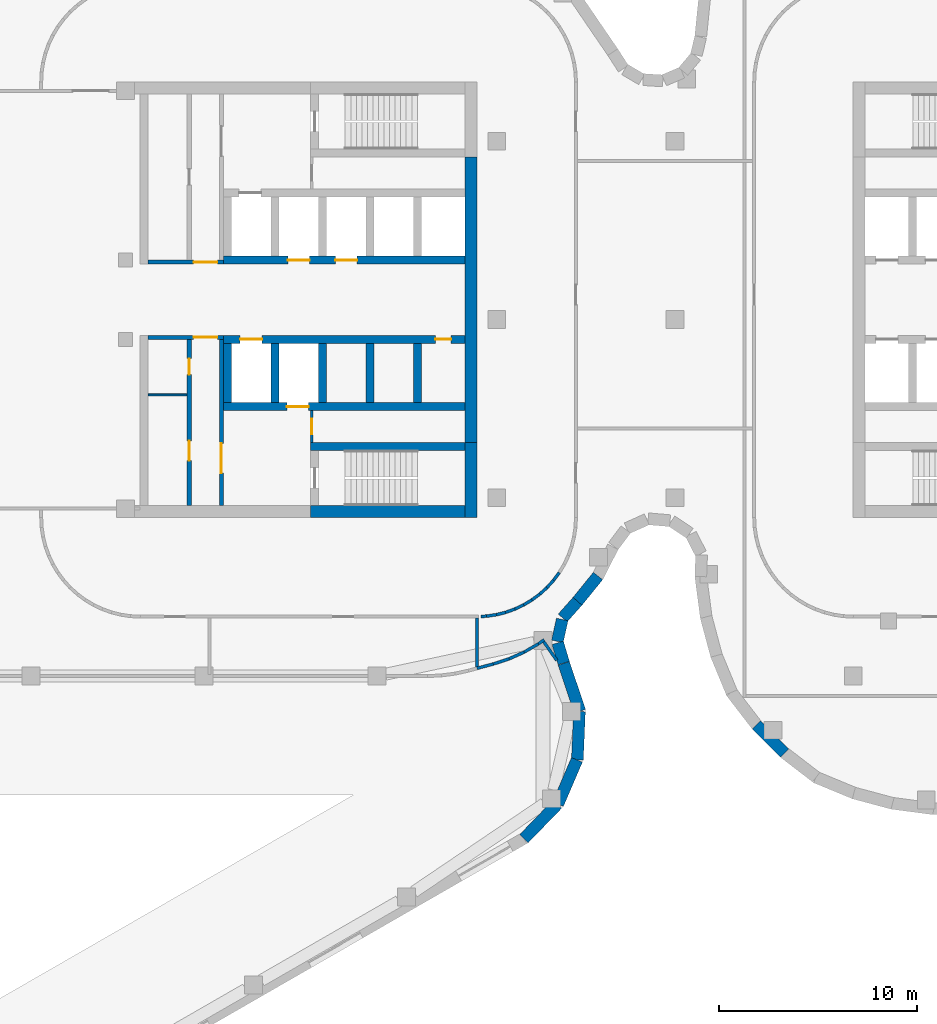
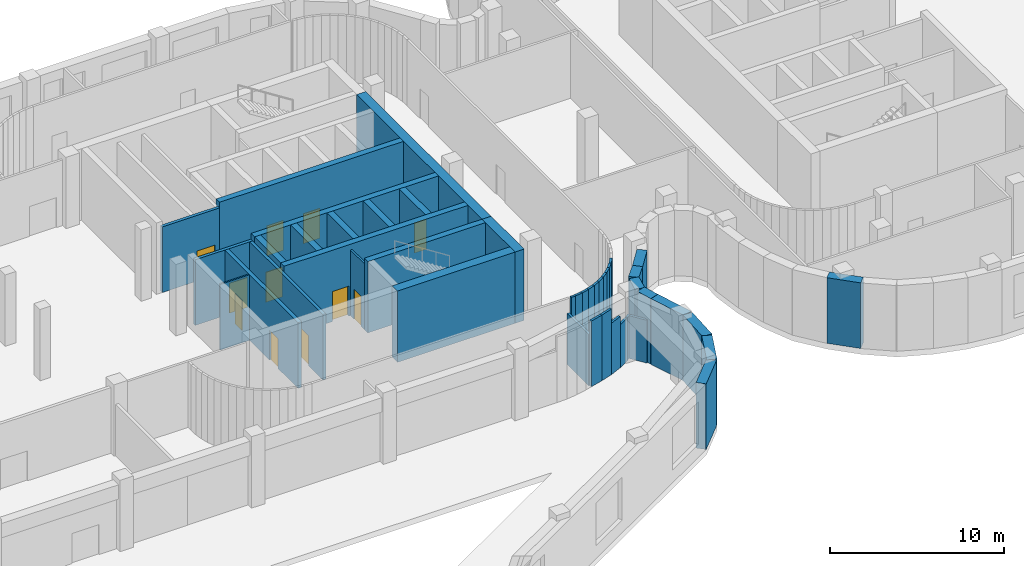
# One storey, part 9 of 20: 44 walls, 11 doors, 11 openings.
"""IFC4 building model written with IfcOpenShell, lengths in metres."""

from ifc_helpers import new_model, si_unit, direction, frame, frame_2d, origin, place, context, subcontext, project, spatial, rectangle, extrude, material, layer, layer_set, type_object, element, fill, save


model = new_model("IFC4")

# Units and contexts
model_context = context("Model", 3, precision=1e-05, world=origin(), true_north=direction((0.0, 1.0)))
body_context = subcontext(model_context, "Body", "Model", "MODEL_VIEW")
ifc_project = project(units=[si_unit("LENGTHUNIT", "METRE"), si_unit("AREAUNIT", "SQUARE_METRE"), si_unit("VOLUMEUNIT", "CUBIC_METRE"), si_unit("PLANEANGLEUNIT", "RADIAN"), si_unit("MASSUNIT", "GRAM", prefix="KILO")], contexts=[model_context])

# Site, building, storey
site_placement = place(None, origin())
site = spatial("IfcSite", under=ifc_project, at=site_placement, CompositionType="ELEMENT")
building_placement = place(site_placement, origin())
building = spatial("IfcBuilding", under=site, at=building_placement, Name="Skarvind Civic Tower", CompositionType="ELEMENT")
storey_placement = place(building_placement, frame((0.0, 0.0, 17.5)))
storey = spatial("IfcBuildingStorey", under=building, at=storey_placement, Name="L03", CompositionType="ELEMENT", Elevation=17.5)

# Wall, opening, door
ifc_material_1 = material(Name="Fire-rated masonry partition", Category="masonry")
ifc_layer_1 = layer(ifc_material_1, 0.199951171875)
ifc_layer_set_1 = layer_set([ifc_layer_1], Name="Core enclosure wall 200")
wall_type_1 = type_object("IfcWallType", Name="Core enclosure wall 200", PredefinedType="PARTITIONING", material=ifc_layer_set_1)
wall_1_placement = place(storey_placement, frame((95.199951171875, 126.10009765625, 0.0), z_axis=(0.0, 0.0, 1.0), x_axis=(-1.0, 0.0, 0.0)))
wall_1 = element("IfcWall", 1, at=wall_1_placement, inside=storey, type_object=wall_type_1, Name="Core wall C1", PredefinedType="PARTITIONING", context=body_context, shape_type="SweptSolid", body=[
    extrude(rectangle(XDim=3.800048828125, YDim=0.199951171875, at=frame_2d((1.89990234375, 0.0))), origin(), (0.0, 0.0, 1.0), 4.60009765625),
])
opening_1_placement = place(wall_1_placement, frame((0.300048828125, 0.0, 0.0)))
opening_1 = element("IfcOpeningElement", 2, at=opening_1_placement, cuts=wall_1, Name="Opening D-L03-C1-05", PredefinedType="OPENING", context=body_context, shape_type="SweptSolid", body=[
    extrude(rectangle(XDim=1.199951171875, YDim=2.10009765625, at=frame_2d((0.60009765625, 1.050048828125))), frame((0.0, 0.10986328125, 0.0), z_axis=(0.0, -1.0, 0.0), x_axis=(1.0, 0.0, 0.0)), (0.0, 0.0, 1.0), 0.219970703125),
])
ifc_material_2 = material(Name="Fire-rated steel door", Category="steel")
door_type_1 = type_object("IfcDoorType", Name="Core lobby door 1200", OperationType="NOTDEFINED", PredefinedType="DOOR", material=ifc_material_2)
door_1_placement = place(opening_1_placement, origin())
door_1 = element("IfcDoor", 3, at=door_1_placement, inside=storey, type_object=door_type_1, Name="Fire door", OperationType="DOUBLE_DOOR_SINGLE_SWING", OverallHeight=2.10009765625, OverallWidth=1.199951171875, PredefinedType="DOOR", context=body_context, shape_type="SweptSolid", body=[
    extrude(rectangle(XDim=1.199951171875, YDim=2.10009765625, at=frame_2d((0.60009765625, 1.050048828125))), frame((0.0, 0.02490234375, 0.0), z_axis=(0.0, -1.0, 0.0), x_axis=(1.0, 0.0, 0.0)), (0.0, 0.0, 1.0), 0.050048828125),
])
fill(opening_1, door_1)

wall_2_placement = place(storey_placement, frame((95.10009765625, 117.60009765625, 0.0), z_axis=(0.0, 0.0, 1.0), x_axis=(0.0, 1.0, 0.0)))
wall_2 = element("IfcWall", 4, at=wall_2_placement, inside=storey, type_object=wall_type_1, Name="Core wall C1", PredefinedType="PARTITIONING", context=body_context, shape_type="SweptSolid", body=[
    extrude(rectangle(XDim=8.39990234375, YDim=0.199951171875, at=frame_2d((4.199951171875, 0.0))), origin(), (0.0, 0.0, 1.0), 4.60009765625),
])
opening_2_placement = place(wall_2_placement, frame((1.64990234375, 0.0, 0.0)))
opening_2 = element("IfcOpeningElement", 5, at=opening_2_placement, cuts=wall_2, Name="Opening D-L03-C1-06", PredefinedType="OPENING", context=body_context, shape_type="SweptSolid", body=[
    extrude(rectangle(XDim=1.5, YDim=2.10009765625, at=frame_2d((0.75, 1.050048828125))), frame((0.0, 0.10986328125, 0.0), z_axis=(0.0, -1.0, 0.0), x_axis=(1.0, 0.0, 0.0)), (0.0, 0.0, 1.0), 0.219970703125),
])
door_type_2 = type_object("IfcDoorType", Name="Fire door 1500", OperationType="NOTDEFINED", PredefinedType="DOOR", material=ifc_material_2)
door_2_placement = place(opening_2_placement, origin())
door_2 = element("IfcDoor", 6, at=door_2_placement, inside=storey, type_object=door_type_2, Name="Fire door", OperationType="DOUBLE_DOOR_SINGLE_SWING", OverallHeight=2.10009765625, OverallWidth=1.5, PredefinedType="DOOR", context=body_context, shape_type="SweptSolid", body=[
    extrude(rectangle(XDim=1.5, YDim=2.10009765625, at=frame_2d((0.75, 1.050048828125))), frame((0.0, 0.02490234375, 0.0), z_axis=(0.0, -1.0, 0.0), x_axis=(1.0, 0.0, 0.0)), (0.0, 0.0, 1.0), 0.050048828125),
])
fill(opening_2, door_2)

wall_3_placement = place(storey_placement, frame((91.39990234375, 129.89990234375, 0.0), z_axis=(0.0, 0.0, 1.0), x_axis=(1.0, 0.0, 0.0)))
wall_3 = element("IfcWall", 7, at=wall_3_placement, inside=storey, type_object=wall_type_1, Name="Core wall C1", PredefinedType="PARTITIONING", context=body_context, shape_type="SweptSolid", body=[
    extrude(rectangle(XDim=3.800048828125, YDim=0.199951171875, at=frame_2d((1.89990234375, 0.0))), origin(), (0.0, 0.0, 1.0), 4.60009765625),
])
opening_3_placement = place(wall_3_placement, frame((2.300048828125, 0.0, 0.0)))
opening_3 = element("IfcOpeningElement", 8, at=opening_3_placement, cuts=wall_3, Name="Opening D-L03-C1-11", PredefinedType="OPENING", context=body_context, shape_type="SweptSolid", body=[
    extrude(rectangle(XDim=1.199951171875, YDim=2.10009765625, at=frame_2d((0.60009765625, 1.050048828125))), frame((0.0, 0.10986328125, 0.0), z_axis=(0.0, -1.0, 0.0), x_axis=(1.0, 0.0, 0.0)), (0.0, 0.0, 1.0), 0.219970703125),
])
door_3_placement = place(opening_3_placement, origin())
door_3 = element("IfcDoor", 9, at=door_3_placement, inside=storey, type_object=door_type_1, Name="Fire door", OperationType="DOUBLE_DOOR_SINGLE_SWING", OverallHeight=2.10009765625, OverallWidth=1.199951171875, PredefinedType="DOOR", context=body_context, shape_type="SweptSolid", body=[
    extrude(rectangle(XDim=1.199951171875, YDim=2.10009765625, at=frame_2d((0.60009765625, 1.050048828125))), frame((0.0, 0.02490234375, 0.0), z_axis=(0.0, -1.0, 0.0), x_axis=(1.0, 0.0, 0.0)), (0.0, 0.0, 1.0), 0.050048828125),
])
fill(opening_3, door_3)

# Walls
ifc_material_3 = material(Name="Fire-rated plasterboard partition")
ifc_layer_2 = layer(ifc_material_3, 0.10009765625)
ifc_layer_set_2 = layer_set([ifc_layer_2], Name="Core partition wall 100")
wall_type_2 = type_object("IfcWallType", Name="Core partition wall 100", PredefinedType="PARTITIONING", material=ifc_layer_set_2)
wall_4_placement = place(storey_placement, frame((93.35009765625, 123.199951171875, 0.0), z_axis=(0.0, 0.0, 1.0), x_axis=(-1.0, 0.0, 0.0)))
element("IfcWall", 10, at=wall_4_placement, inside=storey, type_object=wall_type_2, Name="Core wall C1", PredefinedType="PARTITIONING", context=body_context, shape_type="SweptSolid", body=[
    extrude(rectangle(XDim=1.9501953125, YDim=0.10009765625, at=frame_2d((0.97509765625, 0.0))), origin(), (0.0, 0.0, 1.0), 4.60009765625),
])
ifc_material_4 = material(Name="Concrete C80", Category="concrete")
ifc_layer_3 = layer(ifc_material_4, 0.39990234375)
ifc_layer_set_3 = layer_set([ifc_layer_3], Name="Core wall 400 C80")
wall_type_3 = type_object("IfcWallType", Name="Core wall 400 C80", PredefinedType="SHEAR", material=ifc_layer_set_3)
wall_5_placement = place(storey_placement, frame((107.39990234375, 120.60009765625, 0.0), z_axis=(0.0, 0.0, 1.0), x_axis=(-1.0, 0.0, 0.0)))
element("IfcWall", 11, at=wall_5_placement, inside=storey, type_object=wall_type_3, Name="Core wall C1 north stair inner L03", PredefinedType="SHEAR", context=body_context, shape_type="SweptSolid", body=[
    extrude(rectangle(XDim=7.7998046875, YDim=0.39990234375, at=frame_2d((3.89990234375, 0.0))), origin(), (0.0, 0.0, 1.0), 5.0),
])

# Wall, openings, doors
wall_6_placement = place(storey_placement, frame((107.39990234375, 130.0, 0.0), z_axis=(0.0, 0.0, 1.0), x_axis=(-1.0, 0.0, 0.0)))
wall_6 = element("IfcWall", 12, at=wall_6_placement, inside=storey, type_object=wall_type_3, Name="Core wall C1 south lift row front L03", PredefinedType="SHEAR", context=body_context, shape_type="SweptSolid", body=[
    extrude(rectangle(XDim=12.199951171875, YDim=0.39990234375, at=frame_2d((6.10009765625, 0.0))), origin(), (0.0, 0.0, 1.0), 5.0),
])
opening_4_placement = place(wall_6_placement, frame((5.449951171875, 0.0, 0.0)))
opening_4 = element("IfcOpeningElement", 13, at=opening_4_placement, cuts=wall_6, Name="Opening LD05108", PredefinedType="OPENING", context=body_context, shape_type="SweptSolid", body=[
    extrude(rectangle(XDim=1.10009765625, YDim=2.10009765625, at=frame_2d((0.550048828125, 1.050048828125))), frame((0.0, 0.2099609375, 0.0), z_axis=(0.0, -1.0, 0.0), x_axis=(1.0, 0.0, 0.0)), (0.0, 0.0, 1.0), 0.419921875),
])
opening_5_placement = place(wall_6_placement, frame((7.85009765625, 0.0, 0.0)))
opening_5 = element("IfcOpeningElement", 14, at=opening_5_placement, cuts=wall_6, Name="Opening LD05109", PredefinedType="OPENING", context=body_context, shape_type="SweptSolid", body=[
    extrude(rectangle(XDim=1.10009765625, YDim=2.10009765625, at=frame_2d((0.550048828125, 1.050048828125))), frame((0.0, 0.2099609375, 0.0), z_axis=(0.0, -1.0, 0.0), x_axis=(1.0, 0.0, 0.0)), (0.0, 0.0, 1.0), 0.419921875),
])
ifc_material_5 = material(Name="Stainless steel landing door", Category="steel")
door_type_3 = type_object("IfcDoorType", Name="Lift landing door 1100", OperationType="DOUBLE_DOOR_SLIDING", PredefinedType="DOOR", material=ifc_material_5)
door_4_placement = place(opening_4_placement, origin())
door_4 = element("IfcDoor", 15, at=door_4_placement, inside=storey, type_object=door_type_3, Name="Lift landing door", OperationType="DOUBLE_DOOR_SLIDING", OverallHeight=2.10009765625, OverallWidth=1.10009765625, PredefinedType="DOOR", context=body_context, shape_type="SweptSolid", body=[
    extrude(rectangle(XDim=1.10009765625, YDim=2.10009765625, at=frame_2d((0.550048828125, 1.050048828125))), frame((0.0, 0.02490234375, 0.0), z_axis=(0.0, -1.0, 0.0), x_axis=(1.0, 0.0, 0.0)), (0.0, 0.0, 1.0), 0.050048828125),
])
fill(opening_4, door_4)
door_5_placement = place(opening_5_placement, origin())
door_5 = element("IfcDoor", 16, at=door_5_placement, inside=storey, type_object=door_type_3, Name="Lift landing door", OperationType="DOUBLE_DOOR_SLIDING", OverallHeight=2.10009765625, OverallWidth=1.10009765625, PredefinedType="DOOR", context=body_context, shape_type="SweptSolid", body=[
    extrude(rectangle(XDim=1.10009765625, YDim=2.10009765625, at=frame_2d((0.550048828125, 1.050048828125))), frame((0.0, 0.02490234375, 0.0), z_axis=(0.0, -1.0, 0.0), x_axis=(1.0, 0.0, 0.0)), (0.0, 0.0, 1.0), 0.050048828125),
])
fill(opening_5, door_5)

wall_7_placement = place(storey_placement, frame((107.39990234375, 126.0, 0.0), z_axis=(0.0, 0.0, 1.0), x_axis=(-1.0, 0.0, 0.0)))
wall_7 = element("IfcWall", 17, at=wall_7_placement, inside=storey, type_object=wall_type_3, Name="Core wall C1 north lift row front L03", PredefinedType="SHEAR", context=body_context, shape_type="SweptSolid", body=[
    extrude(rectangle(XDim=12.199951171875, YDim=0.39990234375, at=frame_2d((6.10009765625, 0.0))), origin(), (0.0, 0.0, 1.0), 5.0),
])
opening_6_placement = place(wall_7_placement, frame((10.25, 0.0, 0.0)))
opening_6 = element("IfcOpeningElement", 18, at=opening_6_placement, cuts=wall_7, Name="Opening LD05105", PredefinedType="OPENING", context=body_context, shape_type="SweptSolid", body=[
    extrude(rectangle(XDim=1.10009765625, YDim=2.10009765625, at=frame_2d((0.550048828125, 1.050048828125))), frame((0.0, 0.2099609375, 0.0), z_axis=(0.0, -1.0, 0.0), x_axis=(1.0, 0.0, 0.0)), (0.0, 0.0, 1.0), 0.419921875),
])
opening_7_placement = place(wall_7_placement, frame((0.699951171875, 0.0, 0.0)))
opening_7 = element("IfcOpeningElement", 19, at=opening_7_placement, cuts=wall_7, Name="Opening D-L03-C1-04", PredefinedType="OPENING", context=body_context, shape_type="SweptSolid", body=[
    extrude(rectangle(XDim=0.800048828125, YDim=2.10009765625, at=frame_2d((0.39990234375, 1.050048828125))), frame((0.0, 0.2099609375, 0.0), z_axis=(0.0, -1.0, 0.0), x_axis=(1.0, 0.0, 0.0)), (0.0, 0.0, 1.0), 0.419921875),
])
door_type_4 = type_object("IfcDoorType", Name="Core riser door 800", OperationType="NOTDEFINED", PredefinedType="DOOR", material=ifc_material_2)
door_6_placement = place(opening_7_placement, origin())
door_6 = element("IfcDoor", 20, at=door_6_placement, inside=storey, type_object=door_type_4, Name="Riser door", OperationType="SINGLE_SWING_LEFT", OverallHeight=2.10009765625, OverallWidth=0.800048828125, PredefinedType="DOOR", context=body_context, shape_type="SweptSolid", body=[
    extrude(rectangle(XDim=0.800048828125, YDim=2.10009765625, at=frame_2d((0.39990234375, 1.050048828125))), frame((0.0, 0.02490234375, 0.0), z_axis=(0.0, -1.0, 0.0), x_axis=(1.0, 0.0, 0.0)), (0.0, 0.0, 1.0), 0.050048828125),
])
fill(opening_7, door_6)
door_7_placement = place(opening_6_placement, origin())
door_7 = element("IfcDoor", 21, at=door_7_placement, inside=storey, type_object=door_type_3, Name="Lift landing door", OperationType="DOUBLE_DOOR_SLIDING", OverallHeight=2.10009765625, OverallWidth=1.10009765625, PredefinedType="DOOR", context=body_context, shape_type="SweptSolid", body=[
    extrude(rectangle(XDim=1.10009765625, YDim=2.10009765625, at=frame_2d((0.550048828125, 1.050048828125))), frame((0.0, 0.02490234375, 0.0), z_axis=(0.0, -1.0, 0.0), x_axis=(1.0, 0.0, 0.0)), (0.0, 0.0, 1.0), 0.050048828125),
])
fill(opening_6, door_7)

# Wall, opening, door
wall_8_placement = place(storey_placement, frame((107.39990234375, 122.60009765625, 0.0), z_axis=(0.0, 0.0, 1.0), x_axis=(-1.0, 0.0, 0.0)))
wall_8 = element("IfcWall", 22, at=wall_8_placement, inside=storey, type_object=wall_type_3, Name="Core wall C1 north lift row back L03", PredefinedType="SHEAR", context=body_context, shape_type="SweptSolid", body=[
    extrude(rectangle(XDim=12.199951171875, YDim=0.39990234375, at=frame_2d((6.10009765625, 0.0))), origin(), (0.0, 0.0, 1.0), 5.0),
])
opening_8_placement = place(wall_8_placement, frame((7.89990234375, 0.0, 0.0)))
opening_8 = element("IfcOpeningElement", 23, at=opening_8_placement, cuts=wall_8, Name="Opening LD05104", PredefinedType="OPENING", context=body_context, shape_type="SweptSolid", body=[
    extrude(rectangle(XDim=1.10009765625, YDim=2.10009765625, at=frame_2d((0.550048828125, 1.050048828125))), frame((0.0, 0.2099609375, 0.0), z_axis=(0.0, -1.0, 0.0), x_axis=(1.0, 0.0, 0.0)), (0.0, 0.0, 1.0), 0.419921875),
])
door_8_placement = place(opening_8_placement, origin())
door_8 = element("IfcDoor", 24, at=door_8_placement, inside=storey, type_object=door_type_3, Name="Lift landing door", OperationType="DOUBLE_DOOR_SLIDING", OverallHeight=2.10009765625, OverallWidth=1.10009765625, PredefinedType="DOOR", context=body_context, shape_type="SweptSolid", body=[
    extrude(rectangle(XDim=1.10009765625, YDim=2.10009765625, at=frame_2d((0.550048828125, 1.050048828125))), frame((0.0, 0.02490234375, 0.0), z_axis=(0.0, -1.0, 0.0), x_axis=(1.0, 0.0, 0.0)), (0.0, 0.0, 1.0), 0.050048828125),
])
fill(opening_8, door_8)

# Walls
for number, where, z_axis, x_axis, name in (
    (25, (105.0, 125.800048828125, 0.0), (0.0, 0.0, 1.0), (0.0, -1.0, 0.0), "Core wall C1 north lift row division 1 L03"),
    (26, (102.60009765625, 125.800048828125, 0.0), (0.0, 0.0, 1.0), (0.0, -1.0, 0.0), "Core wall C1 north lift row division 2 L03"),
    (27, (100.199951171875, 125.800048828125, 0.0), (0.0, 0.0, 1.0), (0.0, -1.0, 0.0), "Core wall C1 north lift row division 3 L03"),
    (28, (97.800048828125, 125.800048828125, 0.0), (0.0, 0.0, 1.0), (0.0, -1.0, 0.0), "Core wall C1 north lift row division 4 L03"),
    (29, (95.39990234375, 125.800048828125, 0.0), (0.0, 0.0, 1.0), (0.0, -1.0, 0.0), "Core wall C1 north lift row division 5 L03"),
):
    element("IfcWall", number, at=place(storey_placement, frame(where, z_axis=z_axis, x_axis=x_axis)), inside=storey, type_object=wall_type_3, Name=name, PredefinedType="SHEAR", context=body_context, shape_type="SweptSolid", body=[
        extrude(rectangle(XDim=3.0, YDim=0.39990234375, at=frame_2d((1.5, 0.0))), origin(), (0.0, 0.0, 1.0), 5.0),
    ])
ifc_layer_4 = layer(ifc_material_4, 0.60009765625)
ifc_layer_set_4 = layer_set([ifc_layer_4], Name="Core wall 600 C80")
wall_type_4 = type_object("IfcWallType", Name="Core wall 600 C80", PredefinedType="SHEAR", material=ifc_layer_set_4)
wall_9_placement = place(storey_placement, frame((107.699951171875, 135.199951171875, 0.0), z_axis=(0.0, 0.0, 1.0), x_axis=(0.0, -1.0, 0.0)))
element("IfcWall", 30, at=wall_9_placement, inside=storey, type_object=wall_type_4, Name="Core wall C1 tip between the stairs L03", PredefinedType="SHEAR", context=body_context, shape_type="SweptSolid", body=[
    extrude(rectangle(XDim=14.39990234375, YDim=0.60009765625, at=frame_2d((7.199951171875, 0.0))), origin(), (0.0, 0.0, 1.0), 5.0),
])
wall_10_placement = place(storey_placement, frame((107.699951171875, 120.800048828125, 0.0), z_axis=(0.0, 0.0, 1.0), x_axis=(0.0, -1.0, 0.0)))
element("IfcWall", 31, at=wall_10_placement, inside=storey, type_object=wall_type_4, Name="Core wall C1 tip at the north stair L03", PredefinedType="SHEAR", context=body_context, shape_type="SweptSolid", body=[
    extrude(rectangle(XDim=3.800048828125, YDim=0.60009765625, at=frame_2d((1.89990234375, 0.0))), origin(), (0.0, 0.0, 1.0), 5.0),
])
wall_11_placement = place(storey_placement, frame((107.39990234375, 117.300048828125, 0.0), z_axis=(0.0, 0.0, 1.0), x_axis=(-1.0, 0.0, 0.0)))
element("IfcWall", 32, at=wall_11_placement, inside=storey, type_object=wall_type_4, Name="Core wall C1 north side at the stair L03", PredefinedType="SHEAR", context=body_context, shape_type="SweptSolid", body=[
    extrude(rectangle(XDim=7.7998046875, YDim=0.60009765625, at=frame_2d((3.89990234375, 0.0))), origin(), (0.0, 0.0, 1.0), 5.0),
])
ifc_material_6 = material(Name="Plasterboard partition on steel studs", Category="steel")
ifc_layer_5 = layer(ifc_material_6, 0.14990234375)
ifc_layer_set_5 = layer_set([ifc_layer_5], Name="PARTITION 150")
wall_type_5 = type_object("IfcWallType", Name="PARTITION 150", PredefinedType="PARTITIONING", material=ifc_layer_set_5)
wall_12_placement = place(storey_placement, frame((108.0, 109.466064453125, 0.0), z_axis=(0.0, 0.0, 1.0), x_axis=(0.0, 1.0, 0.0)))
element("IfcWall", 33, at=wall_12_placement, inside=storey, type_object=wall_type_5, Name="Podium partition L03 193", PredefinedType="PARTITIONING", context=body_context, shape_type="SweptSolid", body=[
    extrude(rectangle(XDim=2.458984375, YDim=0.14990234375, at=frame_2d((1.2294921875, 0.0))), origin(), (0.0, 0.0, 1.0), 3.60009765625),
])
wall_13_placement = place(storey_placement, frame((108.0, 109.387939453125, 0.0), z_axis=(0.0, 0.0, 1.0), x_axis=(0.965800850795, 0.259285010374, 0.0)))
element("IfcWall", 34, at=wall_13_placement, inside=storey, type_object=wall_type_5, Name="Podium partition L03 194", PredefinedType="PARTITIONING", context=body_context, shape_type="SweptSolid", body=[
    extrude(rectangle(XDim=0.85205078125, YDim=0.14990234375, at=frame_2d((0.426025390625, 0.0))), origin(), (0.0, 0.0, 1.0), 4.60009765625),
])
wall_14_placement = place(storey_placement, frame((108.214111328125, 112.010009765625, 0.0), z_axis=(0.0, 0.0, 1.0), x_axis=(0.99876534507, 0.049676810357, 0.0)))
element("IfcWall", 35, at=wall_14_placement, inside=storey, type_object=wall_type_5, Name="Podium partition L03 195", PredefinedType="PARTITIONING", context=body_context, shape_type="SweptSolid", body=[
    extrude(rectangle(XDim=0.280029296875, YDim=0.14990234375, at=frame_2d((0.14013671875, 0.0))), origin(), (0.0, 0.0, 1.0), 4.60009765625),
])
wall_15_placement = place(storey_placement, frame((108.486083984375, 112.02294921875, 0.0), z_axis=(0.0, 0.0, 1.0), x_axis=(0.988925572052, 0.148412307247, 0.0)))
element("IfcWall", 36, at=wall_15_placement, inside=storey, type_object=wall_type_5, Name="Podium partition L03 198", PredefinedType="PARTITIONING", context=body_context, shape_type="SweptSolid", body=[
    extrude(rectangle(XDim=0.49853515625, YDim=0.14990234375, at=frame_2d((0.249267578125, 0.0))), origin(), (0.0, 0.0, 1.0), 4.60009765625),
])
wall_16_placement = place(storey_placement, frame((108.819091796875, 109.60693359375, 0.0), z_axis=(0.0, 0.0, 1.0), x_axis=(0.95125726357, 0.308398473578, 0.0)))
element("IfcWall", 37, at=wall_16_placement, inside=storey, type_object=wall_type_5, Name="Podium partition L03 200", PredefinedType="PARTITIONING", context=body_context, shape_type="SweptSolid", body=[
    extrude(rectangle(XDim=0.843017578125, YDim=0.14990234375, at=frame_2d((0.42138671875, 0.0))), origin(), (0.0, 0.0, 1.0), 4.60009765625),
])
wall_17_placement = place(storey_placement, frame((108.970947265625, 112.094970703125, 0.0), z_axis=(0.0, 0.0, 1.0), x_axis=(0.970113715952, 0.242650732785, 0.0)))
element("IfcWall", 38, at=wall_17_placement, inside=storey, type_object=wall_type_5, Name="Podium partition L03 201", PredefinedType="PARTITIONING", context=body_context, shape_type="SweptSolid", body=[
    extrude(rectangle(XDim=0.4990234375, YDim=0.14990234375, at=frame_2d((0.24951171875, 0.0))), origin(), (0.0, 0.0, 1.0), 4.60009765625),
])
wall_18_placement = place(storey_placement, frame((109.447021484375, 112.214111328125, 0.0), z_axis=(0.0, 0.0, 1.0), x_axis=(0.941442168887, 0.3371744988, 0.0)))
element("IfcWall", 39, at=wall_18_placement, inside=storey, type_object=wall_type_5, Name="Podium partition L03 203", PredefinedType="PARTITIONING", context=body_context, shape_type="SweptSolid", body=[
    extrude(rectangle(XDim=0.498046875, YDim=0.14990234375, at=frame_2d((0.2490234375, 0.0))), origin(), (0.0, 0.0, 1.0), 4.60009765625),
])
wall_19_placement = place(storey_placement, frame((109.613037109375, 109.864013671875, 0.0), z_axis=(0.0, 0.0, 1.0), x_axis=(0.913180057383, 0.407556355364, 0.0)))
element("IfcWall", 40, at=wall_19_placement, inside=storey, type_object=wall_type_5, Name="Podium partition L03 205", PredefinedType="PARTITIONING", context=body_context, shape_type="SweptSolid", body=[
    extrude(rectangle(XDim=0.846435546875, YDim=0.14990234375, at=frame_2d((0.42333984375, 0.0))), origin(), (0.0, 0.0, 1.0), 3.60009765625),
])
wall_20_placement = place(storey_placement, frame((109.909912109375, 112.37890625, 0.0), z_axis=(0.0, 0.0, 1.0), x_axis=(0.903827641978, 0.427896709028, 0.0)))
element("IfcWall", 41, at=wall_20_placement, inside=storey, type_object=wall_type_5, Name="Podium partition L03 206", PredefinedType="PARTITIONING", context=body_context, shape_type="SweptSolid", body=[
    extrude(rectangle(XDim=0.498046875, YDim=0.14990234375, at=frame_2d((0.2490234375, 0.0))), origin(), (0.0, 0.0, 1.0), 4.60009765625),
])
wall_21_placement = place(storey_placement, frame((110.35400390625, 112.587890625, 0.0), z_axis=(0.0, 0.0, 1.0), x_axis=(0.85671397893, 0.515791778052, 0.0)))
element("IfcWall", 42, at=wall_21_placement, inside=storey, type_object=wall_type_5, Name="Podium partition L03 208", PredefinedType="PARTITIONING", context=body_context, shape_type="SweptSolid", body=[
    extrude(rectangle(XDim=0.49853515625, YDim=0.14990234375, at=frame_2d((0.249267578125, 0.0))), origin(), (0.0, 0.0, 1.0), 4.60009765625),
])
wall_22_placement = place(storey_placement, frame((110.37890625, 110.205078125, 0.0), z_axis=(0.0, 0.0, 1.0), x_axis=(0.865670246418, 0.500614646676, 0.0)))
element("IfcWall", 43, at=wall_22_placement, inside=storey, type_object=wall_type_5, Name="Podium partition L03 210", PredefinedType="PARTITIONING", context=body_context, shape_type="SweptSolid", body=[
    extrude(rectangle(XDim=0.8447265625, YDim=0.14990234375, at=frame_2d((0.42236328125, 0.0))), origin(), (0.0, 0.0, 1.0), 3.0),
])
wall_23_placement = place(storey_placement, frame((110.77490234375, 112.841064453125, 0.0), z_axis=(0.0, 0.0, 1.0), x_axis=(0.80404358372, 0.594570362092, 0.0)))
element("IfcWall", 44, at=wall_23_placement, inside=storey, type_object=wall_type_5, Name="Podium partition L03 211", PredefinedType="PARTITIONING", context=body_context, shape_type="SweptSolid", body=[
    extrude(rectangle(XDim=0.49755859375, YDim=0.14990234375, at=frame_2d((0.248779296875, 0.0))), origin(), (0.0, 0.0, 1.0), 4.60009765625),
])
wall_24_placement = place(storey_placement, frame((111.10400390625, 110.6240234375, 0.0), z_axis=(0.0, 0.0, 1.0), x_axis=(0.810031464643, 0.586386413799, 0.0)))
element("IfcWall", 45, at=wall_24_placement, inside=storey, type_object=wall_type_5, Name="Podium partition L03 213", PredefinedType="PARTITIONING", context=body_context, shape_type="SweptSolid", body=[
    extrude(rectangle(XDim=0.358154296875, YDim=0.14990234375, at=frame_2d((0.17919921875, 0.0))), origin(), (0.0, 0.0, 1.0), 3.0),
])
wall_25_placement = place(storey_placement, frame((111.1689453125, 113.133056640625, 0.0), z_axis=(0.0, 0.0, 1.0), x_axis=(0.742416880587, 0.66993818776, 0.0)))
element("IfcWall", 46, at=wall_25_placement, inside=storey, type_object=wall_type_5, Name="Podium partition L03 214", PredefinedType="PARTITIONING", context=body_context, shape_type="SweptSolid", body=[
    extrude(rectangle(XDim=0.49853515625, YDim=0.14990234375, at=frame_2d((0.249267578125, 0.0))), origin(), (0.0, 0.0, 1.0), 4.60009765625),
])
wall_26_placement = place(storey_placement, frame((111.3759765625, 110.72900390625, 0.0), z_axis=(0.0, 0.0, 1.0), x_axis=(0.573347602385, -0.819312227933, 0.0)))
element("IfcWall", 47, at=wall_26_placement, inside=storey, type_object=wall_type_5, Name="Podium partition L03 216", PredefinedType="PARTITIONING", context=body_context, shape_type="SweptSolid", body=[
    extrude(rectangle(XDim=1.142578125, YDim=0.14990234375, at=frame_2d((0.5712890625, 0.0))), origin(), (0.0, 0.0, 1.0), 3.0),
])
wall_27_placement = place(storey_placement, frame((111.532958984375, 113.4609375, 0.0), z_axis=(0.0, 0.0, 1.0), x_axis=(0.66993818776, 0.742416880587, 0.0)))
element("IfcWall", 48, at=wall_27_placement, inside=storey, type_object=wall_type_5, Name="Podium partition L03 217", PredefinedType="PARTITIONING", context=body_context, shape_type="SweptSolid", body=[
    extrude(rectangle(XDim=0.49853515625, YDim=0.14990234375, at=frame_2d((0.249267578125, 0.0))), origin(), (0.0, 0.0, 1.0), 4.60009765625),
])
wall_28_placement = place(storey_placement, frame((111.863037109375, 113.824951171875, 0.0), z_axis=(0.0, 0.0, 1.0), x_axis=(0.594570362092, 0.80404358372, 0.0)))
element("IfcWall", 49, at=wall_28_placement, inside=storey, type_object=wall_type_5, Name="Podium partition L03 219", PredefinedType="PARTITIONING", context=body_context, shape_type="SweptSolid", body=[
    extrude(rectangle(XDim=0.49755859375, YDim=0.14990234375, at=frame_2d((0.248779296875, 0.0))), origin(), (0.0, 0.0, 1.0), 4.60009765625),
])

# Wall, opening, door
ifc_layer_6 = layer(ifc_material_1, 0.125)
ifc_layer_set_6 = layer_set([ifc_layer_6], Name="Riser wall 125")
wall_type_6 = type_object("IfcWallType", Name="Riser wall 125", PredefinedType="PARTITIONING", material=ifc_layer_set_6)
wall_29_placement = place(storey_placement, frame((99.66259765625, 120.800048828125, 0.0), z_axis=(0.0, 0.0, 1.0), x_axis=(0.0, 1.0, 0.0)))
wall_29 = element("IfcWall", 50, at=wall_29_placement, inside=storey, type_object=wall_type_6, Name="Core wall C1", PredefinedType="PARTITIONING", context=body_context, shape_type="SweptSolid", body=[
    extrude(rectangle(XDim=1.599853515625, YDim=0.125, at=frame_2d((0.7998046875, 0.0))), origin(), (0.0, 0.0, 1.0), 4.60009765625),
])
opening_9_placement = place(wall_29_placement, frame((0.39990234375, 0.0, 0.0)))
opening_9 = element("IfcOpeningElement", 51, at=opening_9_placement, cuts=wall_29, Name="Opening D-L03-C1-08", PredefinedType="OPENING", context=body_context, shape_type="SweptSolid", body=[
    extrude(rectangle(XDim=0.800048828125, YDim=2.10009765625, at=frame_2d((0.39990234375, 1.050048828125))), frame((0.0, 0.072509765625, 0.0), z_axis=(0.0, -1.0, 0.0), x_axis=(1.0, 0.0, 0.0)), (0.0, 0.0, 1.0), 0.14501953125),
])
door_9_placement = place(opening_9_placement, origin())
door_9 = element("IfcDoor", 52, at=door_9_placement, inside=storey, type_object=door_type_4, Name="Riser door", OperationType="SINGLE_SWING_RIGHT", OverallHeight=2.10009765625, OverallWidth=0.800048828125, PredefinedType="DOOR", context=body_context, shape_type="SweptSolid", body=[
    extrude(rectangle(XDim=0.800048828125, YDim=2.10009765625, at=frame_2d((0.39990234375, 1.050048828125))), frame((0.0, 0.02490234375, 0.0), z_axis=(0.0, -1.0, 0.0), x_axis=(1.0, 0.0, 0.0)), (0.0, 0.0, 1.0), 0.050048828125),
])
fill(opening_9, door_9)

# Wall, openings, doors
ifc_layer_7 = layer(ifc_material_1, 0.25)
ifc_layer_set_7 = layer_set([ifc_layer_7], Name="Service block wall 250")
wall_type_7 = type_object("IfcWallType", Name="Service block wall 250", PredefinedType="PARTITIONING", material=ifc_layer_set_7)
wall_30_placement = place(storey_placement, frame((93.47509765625, 117.60009765625, 0.0), z_axis=(0.0, 0.0, 1.0), x_axis=(0.0, 1.0, 0.0)))
wall_30 = element("IfcWall", 53, at=wall_30_placement, inside=storey, type_object=wall_type_7, Name="Core wall C1", PredefinedType="PARTITIONING", context=body_context, shape_type="SweptSolid", body=[
    extrude(rectangle(XDim=8.39990234375, YDim=0.25, at=frame_2d((4.199951171875, 0.0))), origin(), (0.0, 0.0, 1.0), 4.60009765625),
])
opening_10_placement = place(wall_30_placement, frame((6.625, 0.0, 0.0)))
opening_10 = element("IfcOpeningElement", 54, at=opening_10_placement, cuts=wall_30, Name="Opening D-L03-C1-09", PredefinedType="OPENING", context=body_context, shape_type="SweptSolid", body=[
    extrude(rectangle(XDim=0.800048828125, YDim=2.10009765625, at=frame_2d((0.39990234375, 1.050048828125))), frame((0.0, 0.135009765625, 0.0), z_axis=(0.0, -1.0, 0.0), x_axis=(1.0, 0.0, 0.0)), (0.0, 0.0, 1.0), 0.27001953125),
])
opening_11_placement = place(wall_30_placement, frame((2.27490234375, 0.0, 0.0)))
opening_11 = element("IfcOpeningElement", 55, at=opening_11_placement, cuts=wall_30, Name="Opening D-L03-C1-10", PredefinedType="OPENING", context=body_context, shape_type="SweptSolid", body=[
    extrude(rectangle(XDim=1.0, YDim=2.10009765625, at=frame_2d((0.5, 1.050048828125))), frame((0.0, 0.135009765625, 0.0), z_axis=(0.0, -1.0, 0.0), x_axis=(1.0, 0.0, 0.0)), (0.0, 0.0, 1.0), 0.27001953125),
])
door_10_placement = place(opening_10_placement, origin())
door_10 = element("IfcDoor", 56, at=door_10_placement, inside=storey, type_object=door_type_4, Name="Riser door", OperationType="SINGLE_SWING_LEFT", OverallHeight=2.10009765625, OverallWidth=0.800048828125, PredefinedType="DOOR", context=body_context, shape_type="SweptSolid", body=[
    extrude(rectangle(XDim=0.800048828125, YDim=2.10009765625, at=frame_2d((0.39990234375, 1.050048828125))), frame((0.0, 0.02490234375, 0.0), z_axis=(0.0, -1.0, 0.0), x_axis=(1.0, 0.0, 0.0)), (0.0, 0.0, 1.0), 0.050048828125),
])
fill(opening_10, door_10)
door_type_5 = type_object("IfcDoorType", Name="Fire door 1000", OperationType="NOTDEFINED", PredefinedType="DOOR", material=ifc_material_2)
door_11_placement = place(opening_11_placement, origin())
door_11 = element("IfcDoor", 57, at=door_11_placement, inside=storey, type_object=door_type_5, Name="Fire door", OperationType="SINGLE_SWING_RIGHT", OverallHeight=2.10009765625, OverallWidth=1.0, PredefinedType="DOOR", context=body_context, shape_type="SweptSolid", body=[
    extrude(rectangle(XDim=1.0, YDim=2.10009765625, at=frame_2d((0.5, 1.050048828125))), frame((0.0, 0.02490234375, 0.0), z_axis=(0.0, -1.0, 0.0), x_axis=(1.0, 0.0, 0.0)), (0.0, 0.0, 1.0), 0.050048828125),
])
fill(opening_11, door_11)

# Walls
ifc_material_7 = material(Name="Limestone masonry cladding on insulated backing", Category="masonry")
ifc_layer_8 = layer(ifc_material_7, 0.60009765625)
ifc_layer_set_8 = layer_set([ifc_layer_8], Name="WX1 STONE FACADE WALL 600")
wall_type_8 = type_object("IfcWallType", Name="WX1 STONE FACADE WALL 600", PredefinedType="SOLIDWALL", material=ifc_layer_set_8)
for number, where, z_axis, x_axis, name in (
    (58, (112.06640625, 102.53564453125, 0.0), (0.0, 0.0, 1.0), (-0.695943864418, -0.718096189643, 0.0), "STONE FACADE WALL"),
    (59, (113.05126953125, 104.76904296875, 0.0), (0.0, 0.0, 1.0), (-0.394862771196, -0.918740111198, 0.0), "STONE FACADE WALL"),
    (60, (113.1767578125, 107.206787109375, 0.0), (0.0, 0.0, 1.0), (-0.042001630397, -0.999117542156, 0.0), "STONE FACADE WALL"),
):
    element("IfcWall", number, at=place(storey_placement, frame(where, z_axis=z_axis, x_axis=x_axis)), inside=storey, type_object=wall_type_8, Name=name, PredefinedType="SOLIDWALL", context=body_context, shape_type="SweptSolid", body=[
        extrude(rectangle(XDim=2.435546875, YDim=0.60009765625, at=frame_2d((1.2177734375, 0.0))), origin(), (0.0, 0.0, 1.0), 4.60009765625),
    ])
wall_31_placement = place(storey_placement, frame((112.388427734375, 109.643310546875, 0.0), z_axis=(0.0, 0.0, 1.0), x_axis=(0.31642839289, -0.948616398853, 0.0)))
element("IfcWall", 61, at=wall_31_placement, inside=storey, type_object=wall_type_8, Name="STONE FACADE WALL", PredefinedType="SOLIDWALL", context=body_context, shape_type="SweptSolid", body=[
    extrude(rectangle(XDim=2.555419921875, YDim=0.60009765625, at=frame_2d((1.27783203125, 0.0))), origin(), (0.0, 0.0, 1.0), 4.60009765625),
])
wall_32_placement = place(storey_placement, frame((112.080810546875, 110.67578125, 0.0), z_axis=(0.0, 0.0, 1.0), x_axis=(0.285396142495, -0.958409641985, 0.0)))
element("IfcWall", 62, at=wall_32_placement, inside=storey, type_object=wall_type_8, Name="STONE FACADE WALL", PredefinedType="SOLIDWALL", context=body_context, shape_type="SweptSolid", body=[
    extrude(rectangle(XDim=1.067626953125, YDim=0.60009765625, at=frame_2d((0.53369140625, 0.0))), origin(), (0.0, 0.0, 1.0), 4.60009765625),
])
wall_33_placement = place(storey_placement, frame((112.309814453125, 111.859130859375, 0.0), z_axis=(0.0, 0.0, 1.0), x_axis=(-0.216998636299, -0.976171906912, 0.0)))
element("IfcWall", 63, at=wall_33_placement, inside=storey, type_object=wall_type_8, Name="STONE FACADE WALL", PredefinedType="SOLIDWALL", context=body_context, shape_type="SweptSolid", body=[
    extrude(rectangle(XDim=1.137451171875, YDim=0.60009765625, at=frame_2d((0.56884765625, 0.0))), origin(), (0.0, 0.0, 1.0), 4.60009765625),
])
wall_34_placement = place(storey_placement, frame((113.0791015625, 112.77392578125, 0.0), z_axis=(0.0, 0.0, 1.0), x_axis=(-0.664538540083, -0.747253992123, 0.0)))
element("IfcWall", 64, at=wall_34_placement, inside=storey, type_object=wall_type_8, Name="STONE FACADE WALL", PredefinedType="SOLIDWALL", context=body_context, shape_type="SweptSolid", body=[
    extrude(rectangle(XDim=1.12744140625, YDim=0.60009765625, at=frame_2d((0.563720703125, 0.0))), origin(), (0.0, 0.0, 1.0), 4.60009765625),
])
wall_35_placement = place(storey_placement, frame((114.114501953125, 114.05078125, 0.0), z_axis=(0.0, 0.0, 1.0), x_axis=(-0.630015715698, -0.77658238325, 0.0)))
element("IfcWall", 65, at=wall_35_placement, inside=storey, type_object=wall_type_8, Name="STONE FACADE WALL", PredefinedType="SOLIDWALL", context=body_context, shape_type="SweptSolid", body=[
    extrude(rectangle(XDim=1.657470703125, YDim=0.60009765625, at=frame_2d((0.82861328125, 0.0))), origin(), (0.0, 0.0, 1.0), 4.60009765625),
])
wall_36_placement = place(storey_placement, frame((123.536865234375, 105.109619140625, 0.0), z_axis=(0.0, 0.0, 1.0), x_axis=(-0.707106781187, 0.707106781187, 0.0)))
element("IfcWall", 66, at=wall_36_placement, inside=storey, type_object=wall_type_8, Name="STONE FACADE WALL", PredefinedType="SOLIDWALL", context=body_context, shape_type="SweptSolid", body=[
    extrude(rectangle(XDim=2.018310546875, YDim=0.60009765625, at=frame_2d((1.00927734375, 0.0))), origin(), (0.0, 0.0, 1.0), 4.60009765625),
])

save(model, "model.ifc")
